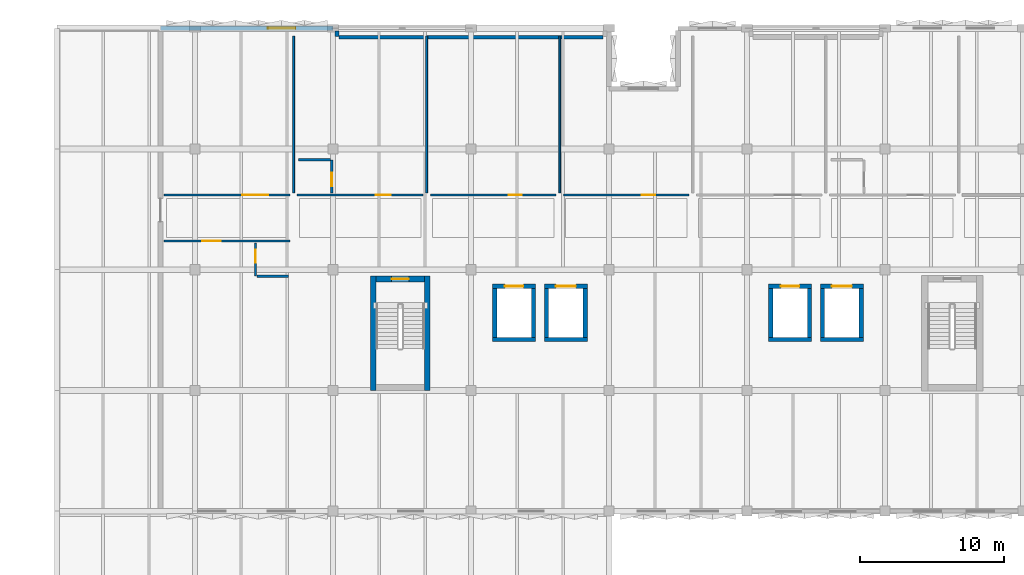
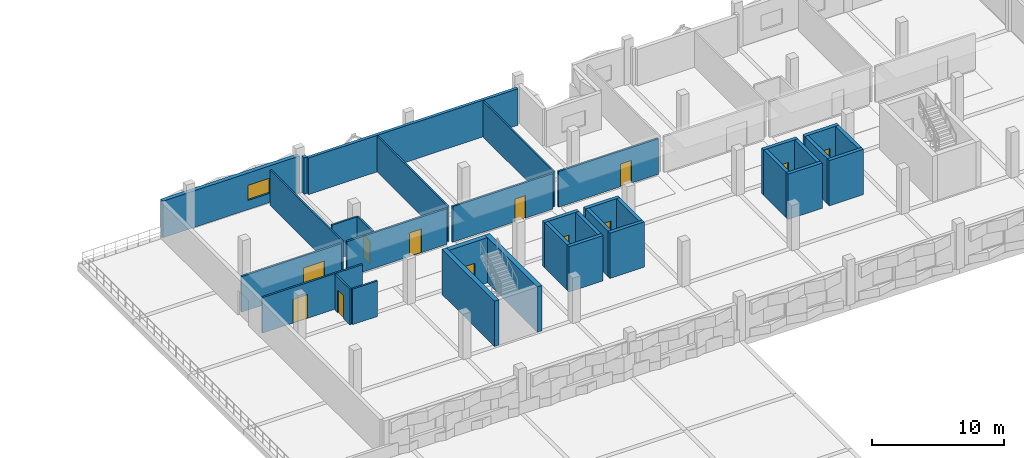
# One storey, part 15 of 24: 34 walls, 12 doors, 1 window, 13 openings.
"""IFC4 building model written with IfcOpenShell, lengths in metres."""

from ifc_helpers import new_model, si_unit, direction, frame, frame_2d, origin, place, context, subcontext, project, spatial, rectangle, extrude, material, layer, layer_set, type_object, element, fill, save


model = new_model("IFC4")

# Units and contexts
model_context = context("Model", 3, precision=1e-05, world=origin(), true_north=direction((0.0, 1.0)))
body_context = subcontext(model_context, "Body", "Model", "MODEL_VIEW")
ifc_project = project(units=[si_unit("LENGTHUNIT", "METRE"), si_unit("AREAUNIT", "SQUARE_METRE"), si_unit("VOLUMEUNIT", "CUBIC_METRE"), si_unit("PLANEANGLEUNIT", "RADIAN"), si_unit("MASSUNIT", "GRAM", prefix="KILO")], contexts=[model_context])

# Site, building, storey
site_placement = place(None, origin())
site = spatial("IfcSite", under=ifc_project, at=site_placement, CompositionType="ELEMENT")
building_placement = place(site_placement, origin())
building = spatial("IfcBuilding", under=site, at=building_placement, Name="Oolite Switchyard Hospital", CompositionType="ELEMENT")
storey_placement = place(building_placement, frame((0.0, 0.0, 22.0)))
storey = spatial("IfcBuildingStorey", under=building, at=storey_placement, Name="L05", CompositionType="ELEMENT", Elevation=22.0)

# Walls
ifc_material_1 = material(Name="Precast oolitic limestone architectural concrete C40/50", Category="masonry")
ifc_layer_1 = layer(ifc_material_1, 0.260009765625)
ifc_layer_set_1 = layer_set([ifc_layer_1], Name="WAL-EXT-260")
wall_type_1 = type_object("IfcWallType", Name="WAL-EXT-260", PredefinedType="SOLIDWALL", material=ifc_layer_set_1)
wall_1_placement = place(storey_placement, frame((153.8798828125, 134.199951171875, 0.0), z_axis=(0.0, 0.0, 1.0), x_axis=(0.0, -1.0, 0.0)))
element("IfcWall", 1, at=wall_1_placement, inside=storey, type_object=wall_type_1, Name="L05 Brace Alcove Cheek Wall 322", PredefinedType="SOLIDWALL", context=body_context, shape_type="SweptSolid", body=[
    extrude(rectangle(XDim=0.35986328125, YDim=0.260009765625, at=frame_2d((0.179931640625, 0.0))), origin(), (0.0, 0.0, 1.0), 3.389892578125),
])
wall_2_placement = place(storey_placement, frame((154.02001953125, 133.780029296875, 0.0), z_axis=(0.0, 0.0, 1.0), x_axis=(1.0, 0.0, 0.0)))
element("IfcWall", 2, at=wall_2_placement, inside=storey, type_object=wall_type_1, Name="L05 Exterior Spandrel Wall 324", PredefinedType="SOLIDWALL", context=body_context, shape_type="SweptSolid", body=[
    extrude(rectangle(XDim=18.35986328125, YDim=0.260009765625, at=frame_2d((9.179931640625, 0.0))), origin(), (0.0, 0.0, 1.0), 3.389892578125),
])

# Wall, opening, window
ifc_layer_2 = layer(ifc_material_1, 0.340087890625)
ifc_layer_set_2 = layer_set([ifc_layer_2], Name="WAL-EXT-340")
wall_type_2 = type_object("IfcWallType", Name="WAL-EXT-340", PredefinedType="SOLIDWALL", material=ifc_layer_set_2)
wall_3_placement = place(storey_placement, frame((141.60009765625, 134.39990234375, 0.0), z_axis=(0.0, 0.0, 1.0), x_axis=(1.0, 0.0, 0.0)))
wall_3 = element("IfcWall", 3, at=wall_3_placement, inside=storey, type_object=wall_type_2, Name="L05 Exterior Spandrel Wall 321", PredefinedType="SOLIDWALL", context=body_context, shape_type="SweptSolid", body=[
    extrude(rectangle(XDim=12.0, YDim=0.340087890625, at=frame_2d((6.0, 0.0))), origin(), (0.0, 0.0, 1.0), 3.389892578125),
])
opening_1_placement = place(wall_3_placement, frame((7.47412109375, 0.0, 0.85009765625)))
opening_1 = element("IfcOpeningElement", 4, at=opening_1_placement, cuts=wall_3, Name="Opening WN-0209", PredefinedType="OPENING", context=body_context, shape_type="SweptSolid", body=[
    extrude(rectangle(XDim=1.89990234375, YDim=1.39990234375, at=frame_2d((0.949951171875, 0.699951171875))), frame((0.0, 0.18017578125, 0.0), z_axis=(0.0, -1.0, 0.0), x_axis=(1.0, 0.0, 0.0)), (0.0, 0.0, 1.0), 0.360107421875),
])
ifc_material_2 = material(Name="Thermally broken aluminum frame with laminated impact glazing", Category="aluminium")
window_type = type_object("IfcWindowType", Name="WIN-IMP-190X140", PartitioningType="SINGLE_PANEL", PredefinedType="WINDOW", material=ifc_material_2)
window_placement = place(opening_1_placement, origin())
window = element("IfcWindow", 5, at=window_placement, inside=storey, type_object=window_type, Name="L05 Hurricane Impact Window WN-0209", OverallHeight=1.39990234375, OverallWidth=1.89990234375, PartitioningType="SINGLE_PANEL", PredefinedType="WINDOW", context=body_context, shape_type="SweptSolid", body=[
    extrude(rectangle(XDim=1.89990234375, YDim=1.39990234375, at=frame_2d((0.949951171875, 0.699951171875))), frame((0.0, 0.030029296875, 0.0), z_axis=(0.0, -1.0, 0.0), x_axis=(1.0, 0.0, 0.0)), (0.0, 0.0, 1.0), 0.06005859375),
])
fill(opening_1, window)

# Walls
ifc_material_3 = material(Name="Moisture-resistant gypsum board on steel studs", Category="steel")
ifc_layer_3 = layer(ifc_material_3, 0.135009765625)
ifc_layer_set_3 = layer_set([ifc_layer_3], Name="WAL-PART-135")
wall_type_3 = type_object("IfcWallType", Name="WAL-PART-135", PredefinedType="PARTITIONING", material=ifc_layer_set_3)
for number, where, z_axis, x_axis, name in (
    (6, (150.85693359375, 122.949951171875, 0.0), (0.0, 0.0, 1.0), (0.0, 1.0, 0.0), "L05 Interior Partition 851"),
    (7, (160.114013671875, 122.949951171875, 0.0), (0.0, 0.0, 1.0), (0.0, 1.0, 0.0), "L05 Interior Partition 853"),
    (8, (169.37109375, 122.949951171875, 0.0), (0.0, 0.0, 1.0), (0.0, 1.0, 0.0), "L05 Interior Partition 855"),
):
    element("IfcWall", number, at=place(storey_placement, frame(where, z_axis=z_axis, x_axis=x_axis)), inside=storey, type_object=wall_type_3, Name=name, PredefinedType="PARTITIONING", context=body_context, shape_type="SweptSolid", body=[
        extrude(rectangle(XDim=10.900146484375, YDim=0.135009765625, at=frame_2d((5.4501953125, 0.0))), origin(), (0.0, 0.0, 1.0), 3.300048828125),
    ])

# Wall, opening, door
ifc_layer_4 = layer(ifc_material_3, 0.14990234375)
ifc_layer_set_4 = layer_set([ifc_layer_4], Name="WAL-PART-150")
wall_type_4 = type_object("IfcWallType", Name="WAL-PART-150", PredefinedType="PARTITIONING", material=ifc_layer_set_4)
wall_4_placement = place(storey_placement, frame((148.20703125, 117.14990234375, 0.0), z_axis=(0.0, 0.0, 1.0), x_axis=(0.0, 1.0, 0.0)))
wall_4 = element("IfcWall", 9, at=wall_4_placement, inside=storey, type_object=wall_type_4, Name="L05 Interior Partition 845", PredefinedType="PARTITIONING", context=body_context, shape_type="SweptSolid", body=[
    extrude(rectangle(XDim=2.300048828125, YDim=0.14990234375, at=frame_2d((1.14990234375, 0.0))), origin(), (0.0, 0.0, 1.0), 3.300048828125),
])
opening_2_placement = place(wall_4_placement, frame((0.949951171875, 0.0, 0.0)))
opening_2 = element("IfcOpeningElement", 10, at=opening_2_placement, cuts=wall_4, Name="Opening D-0469", PredefinedType="OPENING", context=body_context, shape_type="SweptSolid", body=[
    extrude(rectangle(XDim=0.89990234375, YDim=2.10009765625, at=frame_2d((0.449951171875, 1.050048828125))), frame((0.0, 0.0849609375, 0.0), z_axis=(0.0, -1.0, 0.0), x_axis=(1.0, 0.0, 0.0)), (0.0, 0.0, 1.0), 0.169921875),
])
ifc_material_4 = material(Name="Solid-core antimicrobial hardwood leaf in steel frame", Category="steel")
door_type_1 = type_object("IfcDoorType", Name="DR-BATH-090X210", OperationType="NOTDEFINED", PredefinedType="DOOR", material=ifc_material_4)
door_1_placement = place(opening_2_placement, origin())
door_1 = element("IfcDoor", 11, at=door_1_placement, inside=storey, type_object=door_type_1, Name="L05 Interior Door D-0469", OperationType="SINGLE_SWING_RIGHT", OverallHeight=2.10009765625, OverallWidth=0.89990234375, PredefinedType="DOOR", context=body_context, shape_type="SweptSolid", body=[
    extrude(rectangle(XDim=0.89990234375, YDim=2.10009765625, at=frame_2d((0.449951171875, 1.050048828125))), frame((0.0, 0.02490234375, 0.0), z_axis=(0.0, -1.0, 0.0), x_axis=(1.0, 0.0, 0.0)), (0.0, 0.0, 1.0), 0.050048828125),
])
fill(opening_2, door_1)

# Wall
wall_5_placement = place(storey_placement, frame((148.306884765625, 117.14990234375, 0.0), z_axis=(0.0, 0.0, 1.0), x_axis=(1.0, 0.0, 0.0)))
element("IfcWall", 12, at=wall_5_placement, inside=storey, type_object=wall_type_4, Name="L05 Interior Partition 846", PredefinedType="PARTITIONING", context=body_context, shape_type="SweptSolid", body=[
    extrude(rectangle(XDim=2.2001953125, YDim=0.14990234375, at=frame_2d((1.10009765625, 0.0))), origin(), (0.0, 0.0, 1.0), 3.300048828125),
])

# Wall, opening, door
wall_6_placement = place(storey_placement, frame((153.507080078125, 122.949951171875, 0.0), z_axis=(0.0, 0.0, 1.0), x_axis=(0.0, 1.0, 0.0)))
wall_6 = element("IfcWall", 13, at=wall_6_placement, inside=storey, type_object=wall_type_4, Name="L05 Interior Partition 849", PredefinedType="PARTITIONING", context=body_context, shape_type="SweptSolid", body=[
    extrude(rectangle(XDim=2.300048828125, YDim=0.14990234375, at=frame_2d((1.14990234375, 0.0))), origin(), (0.0, 0.0, 1.0), 3.300048828125),
])
opening_3_placement = place(wall_6_placement, frame((0.449951171875, 0.0, 0.0)))
opening_3 = element("IfcOpeningElement", 14, at=opening_3_placement, cuts=wall_6, Name="Opening D-0472", PredefinedType="OPENING", context=body_context, shape_type="SweptSolid", body=[
    extrude(rectangle(XDim=0.949951171875, YDim=2.10009765625, at=frame_2d((0.47509765625, 1.050048828125))), frame((0.0, 0.0849609375, 0.0), z_axis=(0.0, -1.0, 0.0), x_axis=(1.0, 0.0, 0.0)), (0.0, 0.0, 1.0), 0.169921875),
])
door_type_2 = type_object("IfcDoorType", Name="DR-BATH-095X210", OperationType="NOTDEFINED", PredefinedType="DOOR", material=ifc_material_4)
door_2_placement = place(opening_3_placement, origin())
door_2 = element("IfcDoor", 15, at=door_2_placement, inside=storey, type_object=door_type_2, Name="L05 Interior Door D-0472", OperationType="SINGLE_SWING_RIGHT", OverallHeight=2.10009765625, OverallWidth=0.949951171875, PredefinedType="DOOR", context=body_context, shape_type="SweptSolid", body=[
    extrude(rectangle(XDim=0.949951171875, YDim=2.10009765625, at=frame_2d((0.47509765625, 1.050048828125))), frame((0.0, 0.02490234375, 0.0), z_axis=(0.0, -1.0, 0.0), x_axis=(1.0, 0.0, 0.0)), (0.0, 0.0, 1.0), 0.050048828125),
])
fill(opening_3, door_2)

# Wall
wall_7_placement = place(storey_placement, frame((151.20703125, 125.25, 0.0), z_axis=(0.0, 0.0, 1.0), x_axis=(1.0, 0.0, 0.0)))
element("IfcWall", 16, at=wall_7_placement, inside=storey, type_object=wall_type_4, Name="L05 Interior Partition 850", PredefinedType="PARTITIONING", context=body_context, shape_type="SweptSolid", body=[
    extrude(rectangle(XDim=2.199951171875, YDim=0.14990234375, at=frame_2d((1.10009765625, 0.0))), origin(), (0.0, 0.0, 1.0), 3.300048828125),
])

# Wall, opening, door
ifc_layer_5 = layer(ifc_material_3, 0.1650390625)
ifc_layer_set_5 = layer_set([ifc_layer_5], Name="WAL-PART-165")
wall_type_5 = type_object("IfcWallType", Name="WAL-PART-165", PredefinedType="PARTITIONING", material=ifc_layer_set_5)
wall_8_placement = place(storey_placement, frame((141.85009765625, 119.60009765625, 0.0), z_axis=(0.0, 0.0, 1.0), x_axis=(1.0, 0.0, 0.0)))
wall_8 = element("IfcWall", 17, at=wall_8_placement, inside=storey, type_object=wall_type_5, Name="L05 Interior Partition 844", PredefinedType="PARTITIONING", context=body_context, shape_type="SweptSolid", body=[
    extrude(rectangle(XDim=8.7568359375, YDim=0.1650390625, at=frame_2d((4.37841796875, 0.0))), origin(), (0.0, 0.0, 1.0), 3.300048828125),
])
opening_4_placement = place(wall_8_placement, frame((2.64990234375, 0.0, 0.0)))
opening_4 = element("IfcOpeningElement", 18, at=opening_4_placement, cuts=wall_8, Name="Opening D-0468", PredefinedType="OPENING", context=body_context, shape_type="SweptSolid", body=[
    extrude(rectangle(XDim=1.300048828125, YDim=2.199951171875, at=frame_2d((0.64990234375, 1.10009765625))), frame((0.0, 0.092529296875, 0.0), z_axis=(0.0, -1.0, 0.0), x_axis=(1.0, 0.0, 0.0)), (0.0, 0.0, 1.0), 0.18505859375),
])
door_type_3 = type_object("IfcDoorType", Name="DR-WARD-130X220", OperationType="NOTDEFINED", PredefinedType="DOOR", material=ifc_material_4)
door_3_placement = place(opening_4_placement, origin())
door_3 = element("IfcDoor", 19, at=door_3_placement, inside=storey, type_object=door_type_3, Name="L05 Interior Door D-0468", OperationType="SINGLE_SWING_LEFT", OverallHeight=2.199951171875, OverallWidth=1.300048828125, PredefinedType="DOOR", context=body_context, shape_type="SweptSolid", body=[
    extrude(rectangle(XDim=1.300048828125, YDim=2.199951171875, at=frame_2d((0.64990234375, 1.10009765625))), frame((0.0, 0.02490234375, 0.0), z_axis=(0.0, -1.0, 0.0), x_axis=(1.0, 0.0, 0.0)), (0.0, 0.0, 1.0), 0.050048828125),
])
fill(opening_4, door_3)

wall_9_placement = place(storey_placement, frame((141.85009765625, 122.800048828125, 0.0), z_axis=(0.0, 0.0, 1.0), x_axis=(1.0, 0.0, 0.0)))
wall_9 = element("IfcWall", 20, at=wall_9_placement, inside=storey, type_object=wall_type_5, Name="L05 Interior Partition 847", PredefinedType="PARTITIONING", context=body_context, shape_type="SweptSolid", body=[
    extrude(rectangle(XDim=8.7568359375, YDim=0.1650390625, at=frame_2d((4.37841796875, 0.0))), origin(), (0.0, 0.0, 1.0), 3.300048828125),
])
opening_5_placement = place(wall_9_placement, frame((5.449951171875, 0.0, 0.0)))
opening_5 = element("IfcOpeningElement", 21, at=opening_5_placement, cuts=wall_9, Name="Opening D-0470", PredefinedType="OPENING", context=body_context, shape_type="SweptSolid", body=[
    extrude(rectangle(XDim=1.800048828125, YDim=2.199951171875, at=frame_2d((0.89990234375, 1.10009765625))), frame((0.0, 0.092529296875, 0.0), z_axis=(0.0, -1.0, 0.0), x_axis=(1.0, 0.0, 0.0)), (0.0, 0.0, 1.0), 0.18505859375),
])
ifc_material_5 = material(Name="Hollow metal fire-rated steel door assembly", Category="steel")
door_type_4 = type_object("IfcDoorType", Name="DR-DBL-180X220", OperationType="NOTDEFINED", PredefinedType="DOOR", material=ifc_material_5)
door_4_placement = place(opening_5_placement, origin())
door_4 = element("IfcDoor", 22, at=door_4_placement, inside=storey, type_object=door_type_4, Name="L05 Interior Door D-0470", OperationType="DOUBLE_DOOR_SINGLE_SWING", OverallHeight=2.199951171875, OverallWidth=1.800048828125, PredefinedType="DOOR", context=body_context, shape_type="SweptSolid", body=[
    extrude(rectangle(XDim=1.800048828125, YDim=2.199951171875, at=frame_2d((0.89990234375, 1.10009765625))), frame((0.0, 0.02490234375, 0.0), z_axis=(0.0, -1.0, 0.0), x_axis=(1.0, 0.0, 0.0)), (0.0, 0.0, 1.0), 0.050048828125),
])
fill(opening_5, door_4)

wall_10_placement = place(storey_placement, frame((151.10693359375, 122.800048828125, 0.0), z_axis=(0.0, 0.0, 1.0), x_axis=(1.0, 0.0, 0.0)))
wall_10 = element("IfcWall", 23, at=wall_10_placement, inside=storey, type_object=wall_type_5, Name="L05 Interior Partition 848", PredefinedType="PARTITIONING", context=body_context, shape_type="SweptSolid", body=[
    extrude(rectangle(XDim=8.757080078125, YDim=0.1650390625, at=frame_2d((4.37841796875, 0.0))), origin(), (0.0, 0.0, 1.0), 3.300048828125),
])
opening_6_placement = place(wall_10_placement, frame((5.449951171875, 0.0, 0.0)))
opening_6 = element("IfcOpeningElement", 24, at=opening_6_placement, cuts=wall_10, Name="Opening D-0471", PredefinedType="OPENING", context=body_context, shape_type="SweptSolid", body=[
    extrude(rectangle(XDim=1.050048828125, YDim=2.199951171875, at=frame_2d((0.52490234375, 1.10009765625))), frame((0.0, 0.092529296875, 0.0), z_axis=(0.0, -1.0, 0.0), x_axis=(1.0, 0.0, 0.0)), (0.0, 0.0, 1.0), 0.18505859375),
])
door_type_5 = type_object("IfcDoorType", Name="DR-DUTY-105X220", OperationType="NOTDEFINED", PredefinedType="DOOR", material=ifc_material_4)
door_5_placement = place(opening_6_placement, origin())
door_5 = element("IfcDoor", 25, at=door_5_placement, inside=storey, type_object=door_type_5, Name="L05 Interior Door D-0471", OperationType="SINGLE_SWING_LEFT", OverallHeight=2.199951171875, OverallWidth=1.050048828125, PredefinedType="DOOR", context=body_context, shape_type="SweptSolid", body=[
    extrude(rectangle(XDim=1.050048828125, YDim=2.199951171875, at=frame_2d((0.52490234375, 1.10009765625))), frame((0.0, 0.02490234375, 0.0), z_axis=(0.0, -1.0, 0.0), x_axis=(1.0, 0.0, 0.0)), (0.0, 0.0, 1.0), 0.050048828125),
])
fill(opening_6, door_5)

wall_11_placement = place(storey_placement, frame((160.364013671875, 122.800048828125, 0.0), z_axis=(0.0, 0.0, 1.0), x_axis=(1.0, 0.0, 0.0)))
wall_11 = element("IfcWall", 26, at=wall_11_placement, inside=storey, type_object=wall_type_5, Name="L05 Interior Partition 852", PredefinedType="PARTITIONING", context=body_context, shape_type="SweptSolid", body=[
    extrude(rectangle(XDim=8.757080078125, YDim=0.1650390625, at=frame_2d((4.37841796875, 0.0))), origin(), (0.0, 0.0, 1.0), 3.300048828125),
])
opening_7_placement = place(wall_11_placement, frame((5.449951171875, 0.0, 0.0)))
opening_7 = element("IfcOpeningElement", 27, at=opening_7_placement, cuts=wall_11, Name="Opening D-0473", PredefinedType="OPENING", context=body_context, shape_type="SweptSolid", body=[
    extrude(rectangle(XDim=0.89990234375, YDim=2.10009765625, at=frame_2d((0.449951171875, 1.050048828125))), frame((0.0, 0.092529296875, 0.0), z_axis=(0.0, -1.0, 0.0), x_axis=(1.0, 0.0, 0.0)), (0.0, 0.0, 1.0), 0.18505859375),
])
door_6_placement = place(opening_7_placement, origin())
door_6 = element("IfcDoor", 28, at=door_6_placement, inside=storey, type_object=door_type_1, Name="L05 Interior Door D-0473", OperationType="SINGLE_SWING_RIGHT", OverallHeight=2.10009765625, OverallWidth=0.89990234375, PredefinedType="DOOR", context=body_context, shape_type="SweptSolid", body=[
    extrude(rectangle(XDim=0.89990234375, YDim=2.10009765625, at=frame_2d((0.449951171875, 1.050048828125))), frame((0.0, 0.02490234375, 0.0), z_axis=(0.0, -1.0, 0.0), x_axis=(1.0, 0.0, 0.0)), (0.0, 0.0, 1.0), 0.050048828125),
])
fill(opening_7, door_6)

wall_12_placement = place(storey_placement, frame((169.62109375, 122.800048828125, 0.0), z_axis=(0.0, 0.0, 1.0), x_axis=(1.0, 0.0, 0.0)))
wall_12 = element("IfcWall", 29, at=wall_12_placement, inside=storey, type_object=wall_type_5, Name="L05 Interior Partition 854", PredefinedType="PARTITIONING", context=body_context, shape_type="SweptSolid", body=[
    extrude(rectangle(XDim=8.7568359375, YDim=0.1650390625, at=frame_2d((4.37841796875, 0.0))), origin(), (0.0, 0.0, 1.0), 3.300048828125),
])
opening_8_placement = place(wall_12_placement, frame((5.449951171875, 0.0, 0.0)))
opening_8 = element("IfcOpeningElement", 30, at=opening_8_placement, cuts=wall_12, Name="Opening D-0474", PredefinedType="OPENING", context=body_context, shape_type="SweptSolid", body=[
    extrude(rectangle(XDim=0.949951171875, YDim=2.10009765625, at=frame_2d((0.47509765625, 1.050048828125))), frame((0.0, 0.092529296875, 0.0), z_axis=(0.0, -1.0, 0.0), x_axis=(1.0, 0.0, 0.0)), (0.0, 0.0, 1.0), 0.18505859375),
])
door_7_placement = place(opening_8_placement, origin())
door_7 = element("IfcDoor", 31, at=door_7_placement, inside=storey, type_object=door_type_2, Name="L05 Interior Door D-0474", OperationType="SINGLE_SWING_LEFT", OverallHeight=2.10009765625, OverallWidth=0.949951171875, PredefinedType="DOOR", context=body_context, shape_type="SweptSolid", body=[
    extrude(rectangle(XDim=0.949951171875, YDim=2.10009765625, at=frame_2d((0.47509765625, 1.050048828125))), frame((0.0, 0.02490234375, 0.0), z_axis=(0.0, -1.0, 0.0), x_axis=(1.0, 0.0, 0.0)), (0.0, 0.0, 1.0), 0.050048828125),
])
fill(opening_8, door_7)

# Walls
ifc_material_6 = material(Name="Concrete C50/60", Category="concrete")
ifc_layer_6 = layer(ifc_material_6, 0.300048828125)
ifc_layer_set_6 = layer_set([ifc_layer_6], Name="WAL-SHR-300")
wall_type_6 = type_object("IfcWallType", Name="WAL-SHR-300", PredefinedType="SHEAR", material=ifc_layer_set_6)
wall_13_placement = place(storey_placement, frame((164.699951171875, 112.75, 0.0), z_axis=(0.0, 0.0, 1.0), x_axis=(1.0, 0.0, 0.0)))
element("IfcWall", 32, at=wall_13_placement, inside=storey, type_object=wall_type_6, Name="L05 Lift Shaft Shear Wall EL-01", PredefinedType="SHEAR", context=body_context, shape_type="SweptSolid", body=[
    extrude(rectangle(XDim=3.0, YDim=0.300048828125, at=frame_2d((1.5, 0.0))), origin(), (0.0, 0.0, 1.0), 4.199951171875),
])
wall_14_placement = place(storey_placement, frame((167.550048828125, 112.89990234375, 0.0), z_axis=(0.0, 0.0, 1.0), x_axis=(0.0, 1.0, 0.0)))
element("IfcWall", 33, at=wall_14_placement, inside=storey, type_object=wall_type_6, Name="L05 Lift Shaft Shear Wall EL-01", PredefinedType="SHEAR", context=body_context, shape_type="SweptSolid", body=[
    extrude(rectangle(XDim=3.400146484375, YDim=0.300048828125, at=frame_2d((1.7001953125, 0.0))), origin(), (0.0, 0.0, 1.0), 4.199951171875),
])

# Wall, opening, door
wall_15_placement = place(storey_placement, frame((167.699951171875, 116.449951171875, 0.0), z_axis=(0.0, 0.0, 1.0), x_axis=(-1.0, 0.0, 0.0)))
wall_15 = element("IfcWall", 34, at=wall_15_placement, inside=storey, type_object=wall_type_6, Name="L05 Lift Shaft Shear Wall EL-01", PredefinedType="SHEAR", context=body_context, shape_type="SweptSolid", body=[
    extrude(rectangle(XDim=3.0, YDim=0.300048828125, at=frame_2d((1.5, 0.0))), origin(), (0.0, 0.0, 1.0), 4.199951171875),
])
opening_9_placement = place(wall_15_placement, frame((0.85009765625, 0.0, 0.0)))
opening_9 = element("IfcOpeningElement", 35, at=opening_9_placement, cuts=wall_15, Name="Opening LD-006", PredefinedType="OPENING", context=body_context, shape_type="SweptSolid", body=[
    extrude(rectangle(XDim=1.300048828125, YDim=2.300048828125, at=frame_2d((0.64990234375, 1.14990234375))), frame((0.0, 0.16015625, 0.0), z_axis=(0.0, -1.0, 0.0), x_axis=(1.0, 0.0, 0.0)), (0.0, 0.0, 1.0), 0.320068359375),
])
ifc_material_7 = material(Name="Brushed stainless steel fire-rated sliding landing door", Category="steel")
door_type_6 = type_object("IfcDoorType", Name="DR-LD-130X230", OperationType="NOTDEFINED", PredefinedType="DOOR", material=ifc_material_7)
door_8_placement = place(opening_9_placement, origin())
door_8 = element("IfcDoor", 36, at=door_8_placement, inside=storey, type_object=door_type_6, Name="L05 EL-01 Lift Landing Door LD-006", OperationType="SLIDING_TO_RIGHT", OverallHeight=2.300048828125, OverallWidth=1.300048828125, PredefinedType="DOOR", context=body_context, shape_type="SweptSolid", body=[
    extrude(rectangle(XDim=1.300048828125, YDim=2.300048828125, at=frame_2d((0.64990234375, 1.14990234375))), frame((0.0, 0.02490234375, 0.0), z_axis=(0.0, -1.0, 0.0), x_axis=(1.0, 0.0, 0.0)), (0.0, 0.0, 1.0), 0.050048828125),
])
fill(opening_9, door_8)

# Walls
wall_16_placement = place(storey_placement, frame((164.85009765625, 116.300048828125, 0.0), z_axis=(0.0, 0.0, 1.0), x_axis=(0.0, -1.0, 0.0)))
element("IfcWall", 37, at=wall_16_placement, inside=storey, type_object=wall_type_6, Name="L05 Lift Shaft Shear Wall EL-01", PredefinedType="SHEAR", context=body_context, shape_type="SweptSolid", body=[
    extrude(rectangle(XDim=3.400146484375, YDim=0.300048828125, at=frame_2d((1.7001953125, 0.0))), origin(), (0.0, 0.0, 1.0), 4.199951171875),
])
wall_17_placement = place(storey_placement, frame((168.300048828125, 112.75, 0.0), z_axis=(0.0, 0.0, 1.0), x_axis=(1.0, 0.0, 0.0)))
element("IfcWall", 38, at=wall_17_placement, inside=storey, type_object=wall_type_6, Name="L05 Lift Shaft Shear Wall EL-02", PredefinedType="SHEAR", context=body_context, shape_type="SweptSolid", body=[
    extrude(rectangle(XDim=3.0, YDim=0.300048828125, at=frame_2d((1.5, 0.0))), origin(), (0.0, 0.0, 1.0), 4.199951171875),
])
wall_18_placement = place(storey_placement, frame((171.14990234375, 112.89990234375, 0.0), z_axis=(0.0, 0.0, 1.0), x_axis=(0.0, 1.0, 0.0)))
element("IfcWall", 39, at=wall_18_placement, inside=storey, type_object=wall_type_6, Name="L05 Lift Shaft Shear Wall EL-02", PredefinedType="SHEAR", context=body_context, shape_type="SweptSolid", body=[
    extrude(rectangle(XDim=3.400146484375, YDim=0.300048828125, at=frame_2d((1.7001953125, 0.0))), origin(), (0.0, 0.0, 1.0), 4.199951171875),
])

# Wall, opening, door
wall_19_placement = place(storey_placement, frame((171.300048828125, 116.449951171875, 0.0), z_axis=(0.0, 0.0, 1.0), x_axis=(-1.0, 0.0, 0.0)))
wall_19 = element("IfcWall", 40, at=wall_19_placement, inside=storey, type_object=wall_type_6, Name="L05 Lift Shaft Shear Wall EL-02", PredefinedType="SHEAR", context=body_context, shape_type="SweptSolid", body=[
    extrude(rectangle(XDim=3.0, YDim=0.300048828125, at=frame_2d((1.5, 0.0))), origin(), (0.0, 0.0, 1.0), 4.199951171875),
])
opening_10_placement = place(wall_19_placement, frame((0.800048828125, 0.0, 0.0)))
opening_10 = element("IfcOpeningElement", 41, at=opening_10_placement, cuts=wall_19, Name="Opening LD-015", PredefinedType="OPENING", context=body_context, shape_type="SweptSolid", body=[
    extrude(rectangle(XDim=1.39990234375, YDim=2.300048828125, at=frame_2d((0.699951171875, 1.14990234375))), frame((0.0, 0.16015625, 0.0), z_axis=(0.0, -1.0, 0.0), x_axis=(1.0, 0.0, 0.0)), (0.0, 0.0, 1.0), 0.320068359375),
])
door_type_7 = type_object("IfcDoorType", Name="DR-LD-140X230", OperationType="NOTDEFINED", PredefinedType="DOOR", material=ifc_material_7)
door_9_placement = place(opening_10_placement, origin())
door_9 = element("IfcDoor", 42, at=door_9_placement, inside=storey, type_object=door_type_7, Name="L05 EL-02 Lift Landing Door LD-015", OperationType="SLIDING_TO_LEFT", OverallHeight=2.300048828125, OverallWidth=1.39990234375, PredefinedType="DOOR", context=body_context, shape_type="SweptSolid", body=[
    extrude(rectangle(XDim=1.39990234375, YDim=2.300048828125, at=frame_2d((0.699951171875, 1.14990234375))), frame((0.0, 0.02490234375, 0.0), z_axis=(0.0, -1.0, 0.0), x_axis=(1.0, 0.0, 0.0)), (0.0, 0.0, 1.0), 0.050048828125),
])
fill(opening_10, door_9)

# Walls
wall_20_placement = place(storey_placement, frame((168.449951171875, 116.300048828125, 0.0), z_axis=(0.0, 0.0, 1.0), x_axis=(0.0, -1.0, 0.0)))
element("IfcWall", 43, at=wall_20_placement, inside=storey, type_object=wall_type_6, Name="L05 Lift Shaft Shear Wall EL-02", PredefinedType="SHEAR", context=body_context, shape_type="SweptSolid", body=[
    extrude(rectangle(XDim=3.400146484375, YDim=0.300048828125, at=frame_2d((1.7001953125, 0.0))), origin(), (0.0, 0.0, 1.0), 4.199951171875),
])
wall_21_placement = place(storey_placement, frame((183.89990234375, 112.75, 0.0), z_axis=(0.0, 0.0, 1.0), x_axis=(1.0, 0.0, 0.0)))
element("IfcWall", 44, at=wall_21_placement, inside=storey, type_object=wall_type_6, Name="L05 Lift Shaft Shear Wall EL-03", PredefinedType="SHEAR", context=body_context, shape_type="SweptSolid", body=[
    extrude(rectangle(XDim=3.0, YDim=0.300048828125, at=frame_2d((1.5, 0.0))), origin(), (0.0, 0.0, 1.0), 4.199951171875),
])
wall_22_placement = place(storey_placement, frame((186.75, 112.89990234375, 0.0), z_axis=(0.0, 0.0, 1.0), x_axis=(0.0, 1.0, 0.0)))
element("IfcWall", 45, at=wall_22_placement, inside=storey, type_object=wall_type_6, Name="L05 Lift Shaft Shear Wall EL-03", PredefinedType="SHEAR", context=body_context, shape_type="SweptSolid", body=[
    extrude(rectangle(XDim=3.400146484375, YDim=0.300048828125, at=frame_2d((1.7001953125, 0.0))), origin(), (0.0, 0.0, 1.0), 4.199951171875),
])

# Wall, opening, door
wall_23_placement = place(storey_placement, frame((186.89990234375, 116.449951171875, 0.0), z_axis=(0.0, 0.0, 1.0), x_axis=(-1.0, 0.0, 0.0)))
wall_23 = element("IfcWall", 46, at=wall_23_placement, inside=storey, type_object=wall_type_6, Name="L05 Lift Shaft Shear Wall EL-03", PredefinedType="SHEAR", context=body_context, shape_type="SweptSolid", body=[
    extrude(rectangle(XDim=3.0, YDim=0.300048828125, at=frame_2d((1.5, 0.0))), origin(), (0.0, 0.0, 1.0), 4.199951171875),
])
opening_11_placement = place(wall_23_placement, frame((0.85009765625, 0.0, 0.0)))
opening_11 = element("IfcOpeningElement", 47, at=opening_11_placement, cuts=wall_23, Name="Opening LD-024", PredefinedType="OPENING", context=body_context, shape_type="SweptSolid", body=[
    extrude(rectangle(XDim=1.300048828125, YDim=2.300048828125, at=frame_2d((0.64990234375, 1.14990234375))), frame((0.0, 0.16015625, 0.0), z_axis=(0.0, -1.0, 0.0), x_axis=(1.0, 0.0, 0.0)), (0.0, 0.0, 1.0), 0.320068359375),
])
door_10_placement = place(opening_11_placement, origin())
door_10 = element("IfcDoor", 48, at=door_10_placement, inside=storey, type_object=door_type_6, Name="L05 EL-03 Lift Landing Door LD-024", OperationType="SLIDING_TO_RIGHT", OverallHeight=2.300048828125, OverallWidth=1.300048828125, PredefinedType="DOOR", context=body_context, shape_type="SweptSolid", body=[
    extrude(rectangle(XDim=1.300048828125, YDim=2.300048828125, at=frame_2d((0.64990234375, 1.14990234375))), frame((0.0, 0.02490234375, 0.0), z_axis=(0.0, -1.0, 0.0), x_axis=(1.0, 0.0, 0.0)), (0.0, 0.0, 1.0), 0.050048828125),
])
fill(opening_11, door_10)

# Walls
wall_24_placement = place(storey_placement, frame((184.050048828125, 116.300048828125, 0.0), z_axis=(0.0, 0.0, 1.0), x_axis=(0.0, -1.0, 0.0)))
element("IfcWall", 49, at=wall_24_placement, inside=storey, type_object=wall_type_6, Name="L05 Lift Shaft Shear Wall EL-03", PredefinedType="SHEAR", context=body_context, shape_type="SweptSolid", body=[
    extrude(rectangle(XDim=3.400146484375, YDim=0.300048828125, at=frame_2d((1.7001953125, 0.0))), origin(), (0.0, 0.0, 1.0), 4.199951171875),
])
wall_25_placement = place(storey_placement, frame((187.5, 112.75, 0.0), z_axis=(0.0, 0.0, 1.0), x_axis=(1.0, 0.0, 0.0)))
element("IfcWall", 50, at=wall_25_placement, inside=storey, type_object=wall_type_6, Name="L05 Lift Shaft Shear Wall EL-04", PredefinedType="SHEAR", context=body_context, shape_type="SweptSolid", body=[
    extrude(rectangle(XDim=3.0, YDim=0.300048828125, at=frame_2d((1.5, 0.0))), origin(), (0.0, 0.0, 1.0), 4.199951171875),
])
wall_26_placement = place(storey_placement, frame((190.35009765625, 112.89990234375, 0.0), z_axis=(0.0, 0.0, 1.0), x_axis=(0.0, 1.0, 0.0)))
element("IfcWall", 51, at=wall_26_placement, inside=storey, type_object=wall_type_6, Name="L05 Lift Shaft Shear Wall EL-04", PredefinedType="SHEAR", context=body_context, shape_type="SweptSolid", body=[
    extrude(rectangle(XDim=3.400146484375, YDim=0.300048828125, at=frame_2d((1.7001953125, 0.0))), origin(), (0.0, 0.0, 1.0), 4.199951171875),
])

# Wall, opening, door
wall_27_placement = place(storey_placement, frame((190.5, 116.449951171875, 0.0), z_axis=(0.0, 0.0, 1.0), x_axis=(-1.0, 0.0, 0.0)))
wall_27 = element("IfcWall", 52, at=wall_27_placement, inside=storey, type_object=wall_type_6, Name="L05 Lift Shaft Shear Wall EL-04", PredefinedType="SHEAR", context=body_context, shape_type="SweptSolid", body=[
    extrude(rectangle(XDim=3.0, YDim=0.300048828125, at=frame_2d((1.5, 0.0))), origin(), (0.0, 0.0, 1.0), 4.199951171875),
])
opening_12_placement = place(wall_27_placement, frame((0.800048828125, 0.0, 0.0)))
opening_12 = element("IfcOpeningElement", 53, at=opening_12_placement, cuts=wall_27, Name="Opening LD-032", PredefinedType="OPENING", context=body_context, shape_type="SweptSolid", body=[
    extrude(rectangle(XDim=1.39990234375, YDim=2.300048828125, at=frame_2d((0.699951171875, 1.14990234375))), frame((0.0, 0.16015625, 0.0), z_axis=(0.0, -1.0, 0.0), x_axis=(1.0, 0.0, 0.0)), (0.0, 0.0, 1.0), 0.320068359375),
])
door_11_placement = place(opening_12_placement, origin())
door_11 = element("IfcDoor", 54, at=door_11_placement, inside=storey, type_object=door_type_7, Name="L05 EL-04 Lift Landing Door LD-032", OperationType="SLIDING_TO_RIGHT", OverallHeight=2.300048828125, OverallWidth=1.39990234375, PredefinedType="DOOR", context=body_context, shape_type="SweptSolid", body=[
    extrude(rectangle(XDim=1.39990234375, YDim=2.300048828125, at=frame_2d((0.699951171875, 1.14990234375))), frame((0.0, 0.02490234375, 0.0), z_axis=(0.0, -1.0, 0.0), x_axis=(1.0, 0.0, 0.0)), (0.0, 0.0, 1.0), 0.050048828125),
])
fill(opening_12, door_11)

# Walls
wall_28_placement = place(storey_placement, frame((187.64990234375, 116.300048828125, 0.0), z_axis=(0.0, 0.0, 1.0), x_axis=(0.0, -1.0, 0.0)))
element("IfcWall", 55, at=wall_28_placement, inside=storey, type_object=wall_type_6, Name="L05 Lift Shaft Shear Wall EL-04", PredefinedType="SHEAR", context=body_context, shape_type="SweptSolid", body=[
    extrude(rectangle(XDim=3.400146484375, YDim=0.300048828125, at=frame_2d((1.7001953125, 0.0))), origin(), (0.0, 0.0, 1.0), 4.199951171875),
])
ifc_layer_7 = layer(ifc_material_6, 0.39990234375)
ifc_layer_set_7 = layer_set([ifc_layer_7], Name="WAL-SHR-400")
wall_type_7 = type_object("IfcWallType", Name="WAL-SHR-400", PredefinedType="SHEAR", material=ifc_layer_set_7)
for number, where, z_axis, x_axis, name in (
    (56, (156.39990234375, 117.14990234375, 0.0), (0.0, 0.0, 1.0), (0.0, -1.0, 0.0), "L05 Core Shear Wall ST-03"),
    (57, (160.159912109375, 109.199951171875, 0.0), (0.0, 0.0, 1.0), (0.0, 1.0, 0.0), "L05 Core Shear Wall ST-03"),
):
    element("IfcWall", number, at=place(storey_placement, frame(where, z_axis=z_axis, x_axis=x_axis)), inside=storey, type_object=wall_type_7, Name=name, PredefinedType="SHEAR", context=body_context, shape_type="SweptSolid", body=[
        extrude(rectangle(XDim=7.949951171875, YDim=0.39990234375, at=frame_2d((3.97509765625, 0.0))), origin(), (0.0, 0.0, 1.0), 4.199951171875),
    ])

# Wall, opening, door
wall_29_placement = place(storey_placement, frame((159.9599609375, 116.949951171875, 0.0), z_axis=(0.0, 0.0, 1.0), x_axis=(-1.0, 0.0, 0.0)))
wall_29 = element("IfcWall", 58, at=wall_29_placement, inside=storey, type_object=wall_type_7, Name="L05 Core Shear Wall ST-03", PredefinedType="SHEAR", context=body_context, shape_type="SweptSolid", body=[
    extrude(rectangle(XDim=3.35986328125, YDim=0.39990234375, at=frame_2d((1.679931640625, 0.0))), origin(), (0.0, 0.0, 1.0), 4.199951171875),
])
opening_13_placement = place(wall_29_placement, frame((1.080078125, 0.0, 0.0)))
opening_13 = element("IfcOpeningElement", 59, at=opening_13_placement, cuts=wall_29, Name="Opening SD-020", PredefinedType="OPENING", context=body_context, shape_type="SweptSolid", body=[
    extrude(rectangle(XDim=1.199951171875, YDim=2.199951171875, at=frame_2d((0.60009765625, 1.10009765625))), frame((0.0, 0.2099609375, 0.0), z_axis=(0.0, -1.0, 0.0), x_axis=(1.0, 0.0, 0.0)), (0.0, 0.0, 1.0), 0.419921875),
])
door_type_8 = type_object("IfcDoorType", Name="DR-STR-120X220", OperationType="NOTDEFINED", PredefinedType="DOOR", material=ifc_material_5)
door_12_placement = place(opening_13_placement, origin())
door_12 = element("IfcDoor", 60, at=door_12_placement, inside=storey, type_object=door_type_8, Name="L05 ST-03 Exit Stair Door SD-020", OperationType="SINGLE_SWING_RIGHT", OverallHeight=2.199951171875, OverallWidth=1.199951171875, PredefinedType="DOOR", context=body_context, shape_type="SweptSolid", body=[
    extrude(rectangle(XDim=1.199951171875, YDim=2.199951171875, at=frame_2d((0.60009765625, 1.10009765625))), frame((0.0, 0.02490234375, 0.0), z_axis=(0.0, -1.0, 0.0), x_axis=(1.0, 0.0, 0.0)), (0.0, 0.0, 1.0), 0.050048828125),
])
fill(opening_13, door_12)

save(model, "model.ifc")
